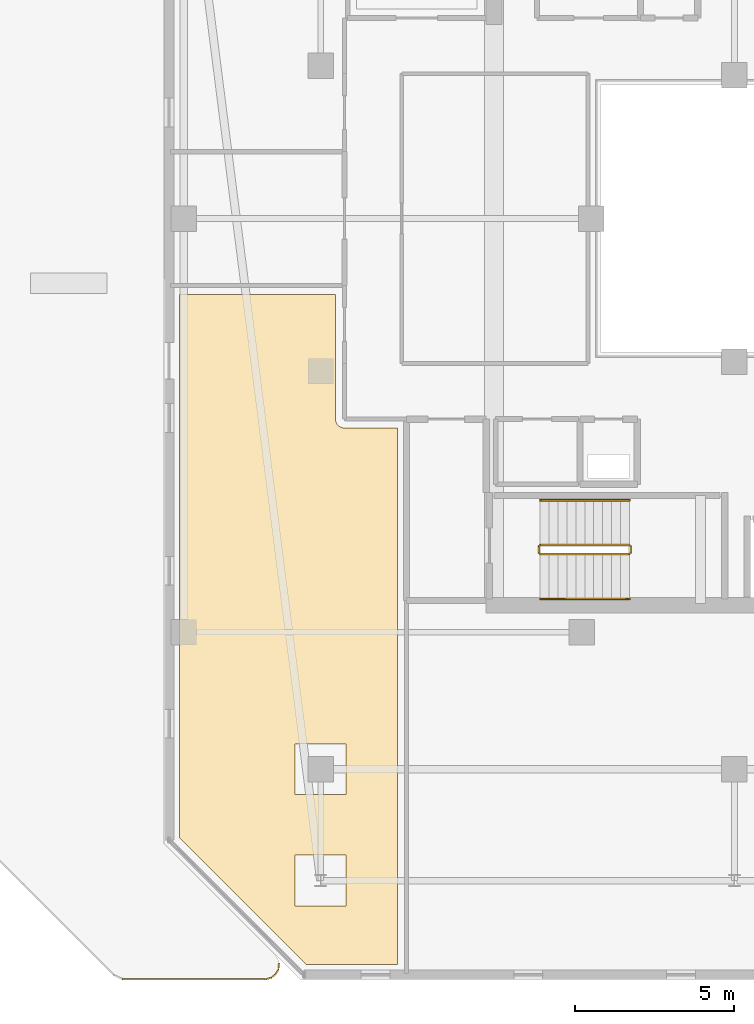
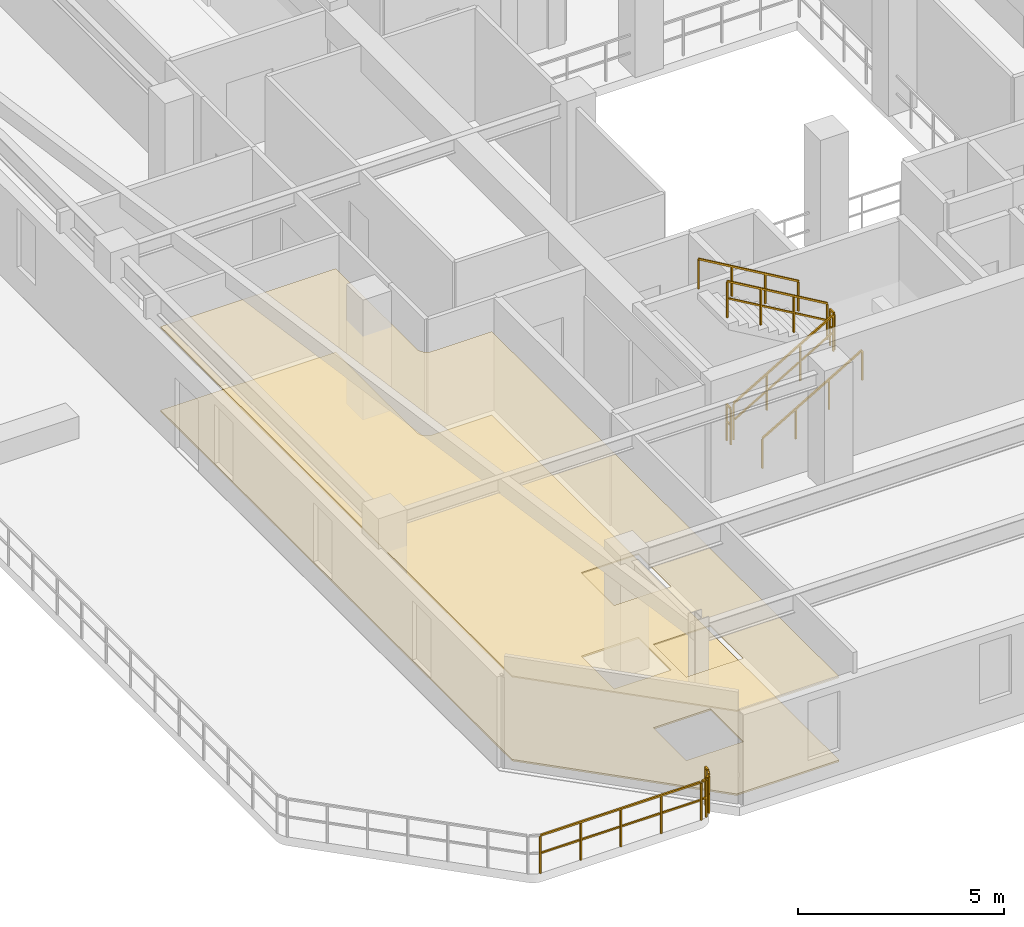
# One storey, part 27 of 31: 7 railings, 2 coverings.
"""IFC4 building model written with IfcOpenShell, lengths in metres."""

from ifc_helpers import new_model, si_unit, direction, frame, origin, origin_2d, place, context, subcontext, project, spatial, polyline, rectangle, outline, extrude, material, layer, layer_set, type_object, element, save


model = new_model("IFC4")

# Units and contexts
model_context = context("Model", 3, precision=1e-05, world=origin(), true_north=direction((0.0, 1.0)))
body_context = subcontext(model_context, "Body", "Model", "MODEL_VIEW")
ifc_project = project(units=[si_unit("LENGTHUNIT", "METRE"), si_unit("AREAUNIT", "SQUARE_METRE"), si_unit("VOLUMEUNIT", "CUBIC_METRE"), si_unit("PLANEANGLEUNIT", "RADIAN"), si_unit("MASSUNIT", "GRAM", prefix="KILO")], contexts=[model_context])

# Site, building, storey
site_placement = place(None, origin())
site = spatial("IfcSite", under=ifc_project, at=site_placement, CompositionType="ELEMENT")
building_placement = place(site_placement, origin())
building = spatial("IfcBuilding", under=site, at=building_placement, Name="Thornwick Lancets Civic Towers", CompositionType="ELEMENT")
storey_placement = place(building_placement, frame((0.0, 0.0, 254.699951171875)))
storey = spatial("IfcBuildingStorey", under=building, at=storey_placement, Name="L68", CompositionType="ELEMENT", Elevation=254.699951171875)

# Coverings
ifc_material_1 = material(Name="Perforated mineral acoustic ceiling tile")
ifc_layer_1 = layer(ifc_material_1, 0.0400390625, Name="Perforated mineral acoustic ceiling tile")
ifc_layer_set_1 = layer_set([ifc_layer_1], Name="Perforated mineral acoustic ceiling tile")
covering_type_1 = type_object("IfcCoveringType", Name="COV_CEIL_ACOUSTIC", PredefinedType="CEILING", material=ifc_layer_set_1)
covering_1_placement = place(storey_placement, frame((0.0, 0.0, 2.485107421875)))
element("IfcCovering", 1, at=covering_1_placement, inside=storey, type_object=covering_type_1, Name="L68 Tower A Ministry Directorate Office W1 Ceiling", PredefinedType="CEILING", context=body_context, shape_type="SweptSolid", body=[
    extrude(outline(polyline([(12.969970703125, 24.6201171875), (12.969970703125, 20.699951171875), (12.97119140625, 20.672607421875), (12.975341796875, 20.6455078125), (12.982177734375, 20.61865234375), (12.9912109375, 20.5927734375), (13.003173828125, 20.568115234375), (13.01708984375, 20.54443359375), (13.03369140625, 20.5224609375), (13.052001953125, 20.501953125), (13.072509765625, 20.483642578125), (13.094482421875, 20.46728515625), (13.117919921875, 20.453125), (13.142822265625, 20.44140625), (13.168701171875, 20.43212890625), (13.1953125, 20.42529296875), (13.22265625, 20.42138671875), (13.25, 20.419921875), (14.919921875, 20.419921875), (14.919921875, 3.56005859375), (12.052490234375, 3.56005859375), (8.06005859375, 7.552490234375), (8.06005859375, 24.6201171875), (12.969970703125, 24.6201171875)]), holes=[polyline([(11.699951171875, 8.89990234375), (13.300048828125, 8.89990234375), (13.300048828125, 10.5), (11.699951171875, 10.5), (11.699951171875, 8.89990234375)]), polyline([(11.699951171875, 5.39990234375), (13.300048828125, 5.39990234375), (13.300048828125, 7.0), (11.699951171875, 7.0), (11.699951171875, 5.39990234375)])]), origin(), (0.0, 0.0, 1.0), 0.0400390625),
])
ifc_material_2 = material(Name="Calcium-sulfate raised access floor panel")
ifc_layer_2 = layer(ifc_material_2, 0.050048828125, Name="Calcium-sulfate raised access floor panel")
ifc_layer_set_2 = layer_set([ifc_layer_2], Name="Calcium-sulfate raised access floor panel")
covering_type_2 = type_object("IfcCoveringType", Name="COV_FLOOR_RAISED", PredefinedType="FLOORING", material=ifc_layer_set_2)
covering_2_placement = place(storey_placement, origin())
element("IfcCovering", 2, at=covering_2_placement, inside=storey, type_object=covering_type_2, Name="L68 Tower A Ministry Directorate Office W1 Raised Access Flooring", PredefinedType="FLOORING", context=body_context, shape_type="SweptSolid", body=[
    extrude(outline(polyline([(12.969970703125, 24.6201171875), (12.969970703125, 20.699951171875), (12.97119140625, 20.672607421875), (12.975341796875, 20.6455078125), (12.982177734375, 20.61865234375), (12.9912109375, 20.5927734375), (13.003173828125, 20.568115234375), (13.01708984375, 20.54443359375), (13.03369140625, 20.5224609375), (13.052001953125, 20.501953125), (13.072509765625, 20.483642578125), (13.094482421875, 20.46728515625), (13.117919921875, 20.453125), (13.142822265625, 20.44140625), (13.168701171875, 20.43212890625), (13.1953125, 20.42529296875), (13.22265625, 20.42138671875), (13.25, 20.419921875), (14.919921875, 20.419921875), (14.919921875, 3.56005859375), (12.052490234375, 3.56005859375), (8.06005859375, 7.552490234375), (8.06005859375, 24.6201171875), (12.969970703125, 24.6201171875)]), holes=[polyline([(11.699951171875, 8.89990234375), (13.300048828125, 8.89990234375), (13.300048828125, 10.5), (11.699951171875, 10.5), (11.699951171875, 8.89990234375)]), polyline([(11.699951171875, 5.39990234375), (13.300048828125, 5.39990234375), (13.300048828125, 7.0), (11.699951171875, 7.0), (11.699951171875, 5.39990234375)])]), origin(), (0.0, 0.0, 1.0), 0.050048828125),
])

# Railings
ifc_material_3 = material(Name="Brushed stainless steel S355", Category="steel")
railing_type_1 = type_object("IfcRailingType", Name="RAIL_HANDRAIL", PredefinedType="HANDRAIL", material=ifc_material_3)
railing_1_placement = place(storey_placement, frame((19.39990234375, 15.050048828125, 0.16357421875)))
element("IfcRailing", 3, at=railing_1_placement, inside=storey, type_object=railing_type_1, Name="L68 ST-A1 stair handrail 1", PredefinedType="HANDRAIL", context=body_context, shape_type="SweptSolid", body=[
    extrude(rectangle(XDim=0.048095703125, YDim=0.048095703125, at=origin_2d()), frame((0.0, 0.0, 0.8857421875), z_axis=(0.863360870873, 0.0, 0.504586966384), x_axis=(0.0, 1.0, 0.0)), (0.0, 0.0, 1.0), 3.2431640625),
    extrude(rectangle(XDim=0.0419921875, YDim=0.0419921875, at=origin_2d()), origin(), (0.0, 0.0, 1.0), 0.855712890625),
    extrude(rectangle(XDim=0.0419921875, YDim=0.0419921875, at=origin_2d()), frame((0.933349609375, 0.0, 0.54541015625)), (0.0, 0.0, 1.0), 0.855712890625),
    extrude(rectangle(XDim=0.0419921875, YDim=0.0419921875, at=origin_2d()), frame((1.86669921875, 0.0, 1.091064453125)), (0.0, 0.0, 1.0), 0.855712890625),
    extrude(rectangle(XDim=0.0419921875, YDim=0.0419921875, at=origin_2d()), frame((2.800048828125, 0.0, 1.636474609375)), (0.0, 0.0, 1.0), 0.855712890625),
])
railing_2_placement = place(storey_placement, frame((22.199951171875, 18.14990234375, 1.963623046875)))
element("IfcRailing", 4, at=railing_2_placement, inside=storey, type_object=railing_type_1, Name="L68 ST-A1 stair handrail 2", PredefinedType="HANDRAIL", context=body_context, shape_type="SweptSolid", body=[
    extrude(rectangle(XDim=0.048095703125, YDim=0.048095703125, at=origin_2d()), frame((0.0, 0.0, 0.8857421875), z_axis=(-0.863360870873, 0.0, 0.504586966384), x_axis=(0.0, -1.0, 0.0)), (0.0, 0.0, 1.0), 3.2431640625),
    extrude(rectangle(XDim=0.0419921875, YDim=0.0419921875, at=origin_2d()), origin(), (0.0, 0.0, 1.0), 0.855712890625),
    extrude(rectangle(XDim=0.0419921875, YDim=0.0419921875, at=origin_2d()), frame((-0.933349609375, 0.0, 0.54541015625)), (0.0, 0.0, 1.0), 0.855712890625),
    extrude(rectangle(XDim=0.0419921875, YDim=0.0419921875, at=origin_2d()), frame((-1.86669921875, 0.0, 1.091064453125)), (0.0, 0.0, 1.0), 0.855712890625),
    extrude(rectangle(XDim=0.0419921875, YDim=0.0419921875, at=origin_2d()), frame((-2.800048828125, 0.0, 1.636474609375)), (0.0, 0.0, 1.0), 0.855712890625),
])
ifc_material_4 = material(Name="Steel S355JR", Category="steel")
railing_type_2 = type_object("IfcRailingType", Name="RAIL_STAIR_GUARD", PredefinedType="GUARDRAIL", material=ifc_material_4)
railing_3_placement = place(storey_placement, frame((19.39990234375, 16.449951171875, 0.16357421875)))
element("IfcRailing", 5, at=railing_3_placement, inside=storey, type_object=railing_type_2, Name="L68 ST-A1 stair guard 1", PredefinedType="GUARDRAIL", context=body_context, shape_type="SweptSolid", body=[
    extrude(rectangle(XDim=0.048095703125, YDim=0.048095703125, at=origin_2d()), frame((0.0, 0.0, 1.076171875), z_axis=(0.863360870873, 0.0, 0.504586966384), x_axis=(0.0, 1.0, 0.0)), (0.0, 0.0, 1.0), 3.2431640625),
    extrude(rectangle(XDim=0.0419921875, YDim=0.0419921875, at=origin_2d()), frame((0.032470703125, 0.0, 0.591064453125), z_axis=(0.863360870873, 0.0, 0.504586966384), x_axis=(0.0, 1.0, 0.0)), (0.0, 0.0, 1.0), 1.006103515625),
    extrude(rectangle(XDim=0.0419921875, YDim=0.0419921875, at=origin_2d()), frame((0.9658203125, 0.0, 1.136474609375), z_axis=(0.863360870873, 0.0, 0.504586966384), x_axis=(0.0, 1.0, 0.0)), (0.0, 0.0, 1.0), 1.006103515625),
    extrude(rectangle(XDim=0.0419921875, YDim=0.0419921875, at=origin_2d()), frame((1.899169921875, 0.0, 1.681884765625), z_axis=(0.863360870873, 0.0, 0.504586966384), x_axis=(0.0, 1.0, 0.0)), (0.0, 0.0, 1.0), 1.006103515625),
    extrude(rectangle(XDim=0.0419921875, YDim=0.0419921875, at=origin_2d()), origin(), (0.0, 0.0, 1.0), 1.0458984375),
    extrude(rectangle(XDim=0.0419921875, YDim=0.0419921875, at=origin_2d()), frame((0.933349609375, 0.0, 0.54541015625)), (0.0, 0.0, 1.0), 1.0458984375),
    extrude(rectangle(XDim=0.0419921875, YDim=0.0419921875, at=origin_2d()), frame((1.86669921875, 0.0, 1.091064453125)), (0.0, 0.0, 1.0), 1.0458984375),
    extrude(rectangle(XDim=0.0419921875, YDim=0.0419921875, at=origin_2d()), frame((2.800048828125, 0.0, 1.636474609375)), (0.0, 0.0, 1.0), 1.0458984375),
])
railing_4_placement = place(storey_placement, frame((22.25, 16.5, 1.800048828125)))
element("IfcRailing", 6, at=railing_4_placement, inside=storey, type_object=railing_type_2, Name="L68 ST-A1 stair guard 2", PredefinedType="GUARDRAIL", context=body_context, shape_type="SweptSolid", body=[
    extrude(rectangle(XDim=0.048095703125, YDim=0.048095703125, at=origin_2d()), frame((0.0, 0.0, 1.076171875), z_axis=(0.0, 1.0, 0.0), x_axis=(-1.0, 0.0, 0.0)), (0.0, 0.0, 1.0), 0.199951171875),
    extrude(rectangle(XDim=0.0419921875, YDim=0.0419921875, at=origin_2d()), frame((0.0, 0.03759765625, 0.572021484375), z_axis=(0.0, 1.0, 0.0), x_axis=(-1.0, 0.0, 0.0)), (0.0, 0.0, 1.0), 0.125),
    extrude(rectangle(XDim=0.0419921875, YDim=0.0419921875, at=origin_2d()), origin(), (0.0, 0.0, 1.0), 1.0458984375),
    extrude(rectangle(XDim=0.0419921875, YDim=0.0419921875, at=origin_2d()), frame((0.0, 0.199951171875, 0.0)), (0.0, 0.0, 1.0), 1.0458984375),
])
railing_5_placement = place(storey_placement, frame((22.199951171875, 16.75, 1.963623046875)))
element("IfcRailing", 7, at=railing_5_placement, inside=storey, type_object=railing_type_2, Name="L68 ST-A1 stair guard 3", PredefinedType="GUARDRAIL", context=body_context, shape_type="SweptSolid", body=[
    extrude(rectangle(XDim=0.048095703125, YDim=0.048095703125, at=origin_2d()), frame((0.0, 0.0, 1.076171875), z_axis=(-0.863360870873, 0.0, 0.504586966384), x_axis=(0.0, -1.0, 0.0)), (0.0, 0.0, 1.0), 3.2431640625),
    extrude(rectangle(XDim=0.0419921875, YDim=0.0419921875, at=origin_2d()), frame((-0.032470703125, 0.0, 0.591064453125), z_axis=(-0.863360870873, 0.0, 0.504586966384), x_axis=(0.0, -1.0, 0.0)), (0.0, 0.0, 1.0), 1.006103515625),
    extrude(rectangle(XDim=0.0419921875, YDim=0.0419921875, at=origin_2d()), frame((-0.9658203125, 0.0, 1.136474609375), z_axis=(-0.863360870873, 0.0, 0.504586966384), x_axis=(0.0, -1.0, 0.0)), (0.0, 0.0, 1.0), 1.006103515625),
    extrude(rectangle(XDim=0.0419921875, YDim=0.0419921875, at=origin_2d()), frame((-1.899169921875, 0.0, 1.681884765625), z_axis=(-0.863360870873, 0.0, 0.504586966384), x_axis=(0.0, -1.0, 0.0)), (0.0, 0.0, 1.0), 1.006103515625),
    extrude(rectangle(XDim=0.0419921875, YDim=0.0419921875, at=origin_2d()), origin(), (0.0, 0.0, 1.0), 1.0458984375),
    extrude(rectangle(XDim=0.0419921875, YDim=0.0419921875, at=origin_2d()), frame((-0.933349609375, 0.0, 0.54541015625)), (0.0, 0.0, 1.0), 1.0458984375),
    extrude(rectangle(XDim=0.0419921875, YDim=0.0419921875, at=origin_2d()), frame((-1.86669921875, 0.0, 1.091064453125)), (0.0, 0.0, 1.0), 1.0458984375),
    extrude(rectangle(XDim=0.0419921875, YDim=0.0419921875, at=origin_2d()), frame((-2.800048828125, 0.0, 1.636474609375)), (0.0, 0.0, 1.0), 1.0458984375),
])
railing_6_placement = place(storey_placement, frame((19.35009765625, 16.5, 0.0)))
element("IfcRailing", 8, at=railing_6_placement, inside=storey, type_object=railing_type_2, Name="L68 ST-A1 stair guard 4", PredefinedType="GUARDRAIL", context=body_context, shape_type="SweptSolid", body=[
    extrude(rectangle(XDim=0.048095703125, YDim=0.048095703125, at=origin_2d()), frame((0.0, 0.0, 1.076171875), z_axis=(0.0, 1.0, 0.0), x_axis=(-1.0, 0.0, 0.0)), (0.0, 0.0, 1.0), 0.199951171875),
    extrude(rectangle(XDim=0.0419921875, YDim=0.0419921875, at=origin_2d()), frame((0.0, 0.03759765625, 0.572021484375), z_axis=(0.0, 1.0, 0.0), x_axis=(-1.0, 0.0, 0.0)), (0.0, 0.0, 1.0), 0.125),
    extrude(rectangle(XDim=0.0419921875, YDim=0.0419921875, at=origin_2d()), origin(), (0.0, 0.0, 1.0), 1.0458984375),
    extrude(rectangle(XDim=0.0419921875, YDim=0.0419921875, at=origin_2d()), frame((0.0, 0.199951171875, 0.0)), (0.0, 0.0, 1.0), 1.0458984375),
])
ifc_material_5 = material(Name="Terracotta-capped laminated glass balustrade S355", Category="masonry")
railing_type_3 = type_object("IfcRailingType", Name="RAIL_TERR_GUARD", PredefinedType="GUARDRAIL", material=ifc_material_5)
railing_7_placement = place(storey_placement, frame((11.194580078125, 3.59765625, 0.0)))
element("IfcRailing", 9, at=railing_7_placement, inside=storey, type_object=railing_type_3, Name="L68 Tower A Sky-Garden Guard 1 Part 2", PredefinedType="GUARDRAIL", context=body_context, shape_type="SweptSolid", body=[
    extrude(rectangle(XDim=0.048095703125, YDim=0.048095703125, at=origin_2d()), frame((0.0, 0.0, 1.1259765625), z_axis=(-0.092749159512, -0.995689506528, 0.0), x_axis=(0.995689506528, -0.092749159512, 0.0)), (0.0, 0.0, 1.0), 0.147705078125),
    extrude(rectangle(XDim=0.0419921875, YDim=0.0419921875, at=origin_2d()), frame((-0.00341796875, -0.037353515625, 0.597900390625), z_axis=(-0.092749159512, -0.995689506528, 0.0), x_axis=(0.995689506528, -0.092749159512, 0.0)), (0.0, 0.0, 1.0), 0.10400390625),
    extrude(rectangle(XDim=0.048095703125, YDim=0.048095703125, at=origin_2d()), frame((-0.03125, -0.205810546875, 1.1259765625), z_axis=(-0.470948722639, -0.882160586654, 0.0), x_axis=(0.882160586654, -0.470948722639, 0.0)), (0.0, 0.0, 1.0), 0.11328125),
    extrude(rectangle(XDim=0.0419921875, YDim=0.0419921875, at=origin_2d()), frame((-0.0341796875, -0.211181640625, 0.597900390625), z_axis=(-0.470948722639, -0.882160586654, 0.0), x_axis=(0.882160586654, -0.470948722639, 0.0)), (0.0, 0.0, 1.0), 0.100830078125),
    extrude(rectangle(XDim=0.048095703125, YDim=0.048095703125, at=origin_2d()), frame((-0.12353515625, -0.35302734375, 1.1259765625), z_axis=(-0.773213238462, -0.634146109242, 0.0), x_axis=(0.634146109242, -0.773213238462, 0.0)), (0.0, 0.0, 1.0), 0.113037109375),
    extrude(rectangle(XDim=0.0419921875, YDim=0.0419921875, at=origin_2d()), frame((-0.12841796875, -0.35693359375, 0.597900390625), z_axis=(-0.773213238462, -0.634146109242, 0.0), x_axis=(0.634146109242, -0.773213238462, 0.0)), (0.0, 0.0, 1.0), 0.1005859375),
    extrude(rectangle(XDim=0.048095703125, YDim=0.048095703125, at=origin_2d()), frame((-0.26513671875, -0.45361328125, 1.1259765625), z_axis=(-0.957211427299, -0.289389501276, 0.0), x_axis=(0.289389501276, -0.957211427299, 0.0)), (0.0, 0.0, 1.0), 0.113037109375),
    extrude(rectangle(XDim=0.0419921875, YDim=0.0419921875, at=origin_2d()), frame((-0.27099609375, -0.455322265625, 0.597900390625), z_axis=(-0.957211427299, -0.289389501276, 0.0), x_axis=(0.289389501276, -0.957211427299, 0.0)), (0.0, 0.0, 1.0), 0.1005859375),
    extrude(rectangle(XDim=0.048095703125, YDim=0.048095703125, at=origin_2d()), frame((-0.434326171875, -0.495361328125, 1.1259765625), z_axis=(-1.0, 0.0, 0.0), x_axis=(0.0, -1.0, 0.0)), (0.0, 0.0, 1.0), 4.47998046875),
    extrude(rectangle(XDim=0.0419921875, YDim=0.0419921875, at=origin_2d()), frame((-0.440673828125, -0.495361328125, 0.597900390625), z_axis=(-1.0, 0.0, 0.0), x_axis=(0.0, -1.0, 0.0)), (0.0, 0.0, 1.0), 1.052734375),
    extrude(rectangle(XDim=0.0419921875, YDim=0.0419921875, at=origin_2d()), frame((-1.568359375, -0.495361328125, 0.597900390625), z_axis=(-1.0, 0.0, 0.0), x_axis=(0.0, -1.0, 0.0)), (0.0, 0.0, 1.0), 1.052734375),
    extrude(rectangle(XDim=0.0419921875, YDim=0.0419921875, at=origin_2d()), frame((-2.6962890625, -0.495361328125, 0.597900390625), z_axis=(-1.0, 0.0, 0.0), x_axis=(0.0, -1.0, 0.0)), (0.0, 0.0, 1.0), 1.052734375),
    extrude(rectangle(XDim=0.0419921875, YDim=0.0419921875, at=origin_2d()), frame((-3.823974609375, -0.495361328125, 0.597900390625), z_axis=(-1.0, 0.0, 0.0), x_axis=(0.0, -1.0, 0.0)), (0.0, 0.0, 1.0), 1.052734375),
    extrude(rectangle(XDim=0.0419921875, YDim=0.0419921875, at=origin_2d()), origin(), (0.0, 0.0, 1.0), 1.095703125),
    extrude(rectangle(XDim=0.0419921875, YDim=0.0419921875, at=origin_2d()), frame((-0.0166015625, -0.17822265625, 0.0)), (0.0, 0.0, 1.0), 1.095703125),
    extrude(rectangle(XDim=0.0419921875, YDim=0.0419921875, at=origin_2d()), frame((-0.099365234375, -0.333251953125, 0.0)), (0.0, 0.0, 1.0), 1.095703125),
    extrude(rectangle(XDim=0.0419921875, YDim=0.0419921875, at=origin_2d()), frame((-0.235107421875, -0.444580078125, 0.0)), (0.0, 0.0, 1.0), 1.095703125),
    extrude(rectangle(XDim=0.0419921875, YDim=0.0419921875, at=origin_2d()), frame((-0.403076171875, -0.495361328125, 0.0)), (0.0, 0.0, 1.0), 1.095703125),
    extrude(rectangle(XDim=0.0419921875, YDim=0.0419921875, at=origin_2d()), frame((-1.53076171875, -0.495361328125, 0.0)), (0.0, 0.0, 1.0), 1.095703125),
    extrude(rectangle(XDim=0.0419921875, YDim=0.0419921875, at=origin_2d()), frame((-2.65869140625, -0.495361328125, 0.0)), (0.0, 0.0, 1.0), 1.095703125),
    extrude(rectangle(XDim=0.0419921875, YDim=0.0419921875, at=origin_2d()), frame((-3.78662109375, -0.495361328125, 0.0)), (0.0, 0.0, 1.0), 1.095703125),
    extrude(rectangle(XDim=0.0419921875, YDim=0.0419921875, at=origin_2d()), frame((-4.914306640625, -0.495361328125, 0.0)), (0.0, 0.0, 1.0), 1.095703125),
])

save(model, "model.ifc")
